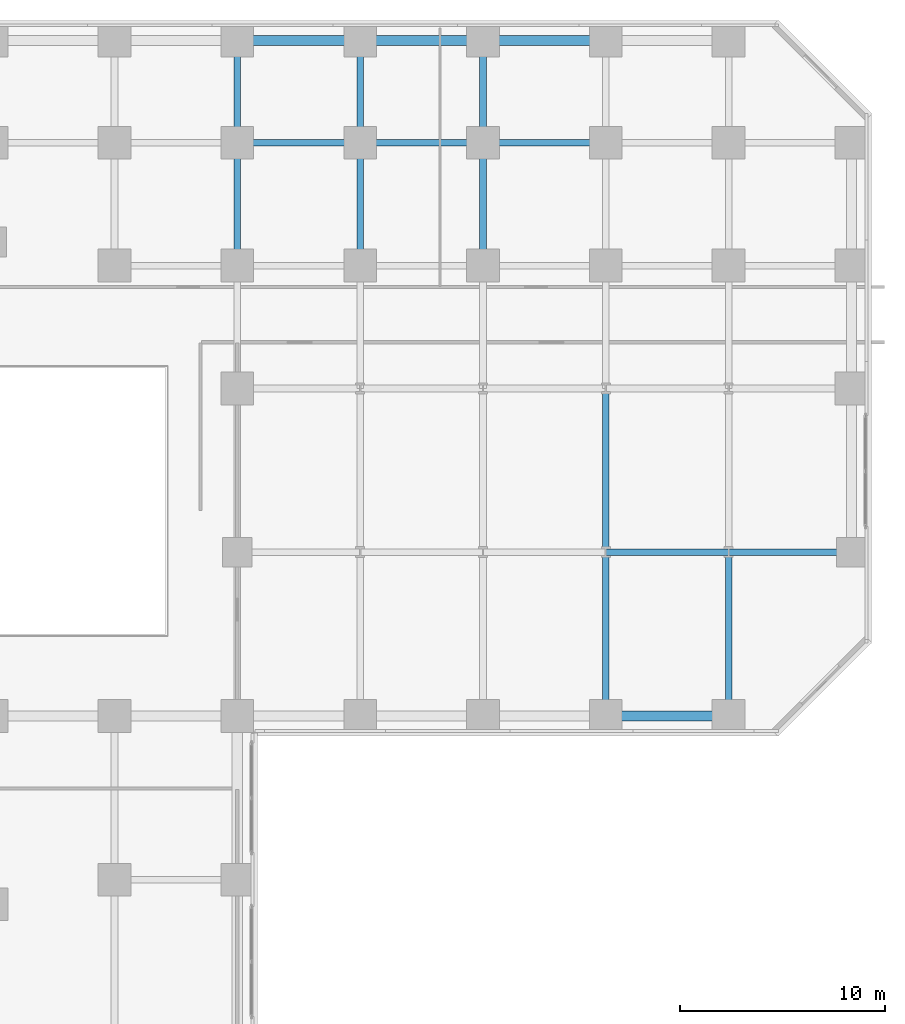
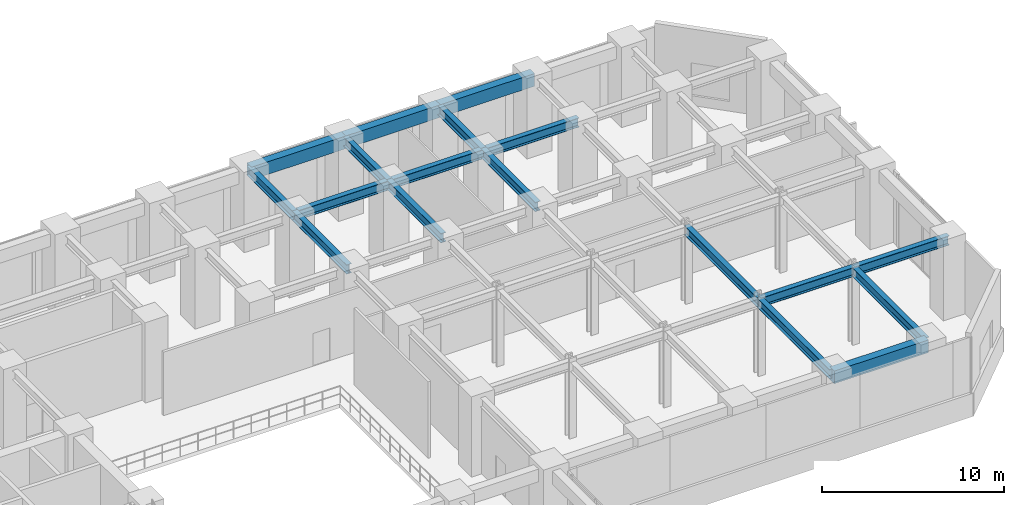
# One storey, part 21 of 33: 18 beams.
"""IFC4 building model written with IfcOpenShell, lengths in metres."""

from ifc_helpers import new_model, si_unit, direction, frame, origin, origin_2d, place, context, subcontext, project, spatial, rectangle, i_section, extrude, source, transform, mapped, material, material_profile, profile_set, type_object, element, save


model = new_model("IFC4")

# Units and contexts
model_context = context("Model", 3, precision=1e-05, world=origin(), true_north=direction((0.0, 1.0)))
body_context = subcontext(model_context, "Body", "Model", "MODEL_VIEW")
ifc_project = project(units=[si_unit("LENGTHUNIT", "METRE"), si_unit("AREAUNIT", "SQUARE_METRE"), si_unit("VOLUMEUNIT", "CUBIC_METRE"), si_unit("PLANEANGLEUNIT", "RADIAN"), si_unit("MASSUNIT", "GRAM", prefix="KILO")], contexts=[model_context])

# Site, building, storey
site_placement = place(None, origin())
site = spatial("IfcSite", under=ifc_project, at=site_placement, CompositionType="ELEMENT")
building_placement = place(site_placement, origin())
building = spatial("IfcBuilding", under=site, at=building_placement, Name="Torre Montelarca", CompositionType="ELEMENT")
storey_placement = place(building_placement, frame((0.0, 0.0, 12.0)))
storey = spatial("IfcBuildingStorey", under=building, at=storey_placement, Name="L03", CompositionType="ELEMENT", Elevation=12.0)

# Beams
ifc_material_1 = material(Name="Concrete C55/67", Category="concrete")
ifc_material_profile_1 = material_profile(ifc_material_1, rectangle(XDim=0.5, YDim=0.85009765625, at=origin_2d()), Name="RCB500X850", Category="concrete")
ifc_profile_set_1 = profile_set([ifc_material_profile_1], Name="Concrete C55/67")
beam_type_1 = type_object("IfcBeamType", Name="BM-SP-RC850-EXT", PredefinedType="SPANDREL", material=ifc_profile_set_1)
shared_shape_1 = source(origin(), body_context, "Body", "SweptSolid", [
    extrude(rectangle(XDim=0.5, YDim=0.85009765625, at=origin_2d()), origin(), (0.0, 0.0, 1.0), 6.0),
])
for number, where, z_axis, x_axis, name in (
    (1, (66.0, 24.0, 4.715087890625), (1.0, 0.0, 0.0), (0.0, 1.0, 0.0), "L03 Grid Girder X 66.0-72.0 at Y=24.0"),
    (2, (48.0, 57.0, 4.715087890625), (1.0, 0.0, 0.0), (0.0, 1.0, 0.0), "L03 Grid Girder X 48.0-54.0 at Y=57.0"),
    (3, (54.0, 57.0, 4.715087890625), (1.0, 0.0, 0.0), (0.0, 1.0, 0.0), "L03 Grid Girder X 54.0-60.0 at Y=57.0"),
    (4, (60.0, 57.0, 4.715087890625), (1.0, 0.0, 0.0), (0.0, 1.0, 0.0), "L03 Grid Girder X 60.0-66.0 at Y=57.0"),
):
    element("IfcBeam", number, at=place(storey_placement, frame(where, z_axis=z_axis, x_axis=x_axis)), inside=storey, type_object=beam_type_1, Name=name, PredefinedType="SPANDREL", context=body_context, shape_type="MappedRepresentation", body=[
        mapped(shared_shape_1, transform((0.0, 0.0, 0.0), scale=1.0)),
    ])
ifc_material_2 = material(Name="Steel ASTM A992 Grade 50", Category="steel")
ifc_material_profile_2 = material_profile(ifc_material_2, i_section(OverallWidth=0.326904296875, OverallDepth=0.6220703125, WebThickness=0.015380859375, FlangeThickness=0.0244140625, FilletRadius=0.014892578125, at=origin_2d()), Name="W610X195", Category="steel")
ifc_profile_set_2 = profile_set([ifc_material_profile_2], Name="Steel ASTM A992 Grade 50")
beam_type_2 = type_object("IfcBeamType", Name="BM-G-W610H", PredefinedType="BEAM", material=ifc_profile_set_2)
shared_shape_2 = source(origin(), body_context, "Body", "SweptSolid", [
    extrude(i_section(OverallWidth=0.326904296875, OverallDepth=0.6220703125, WebThickness=0.015380859375, FlangeThickness=0.0244140625, FilletRadius=0.014892578125, at=origin_2d()), origin(), (0.0, 0.0, 1.0), 6.0),
])
for number, where, z_axis, x_axis, name in (
    (5, (66.0, 32.0, 4.8291015625), (1.0, 0.0, 0.0), (0.0, 1.0, 0.0), "L03 Grid Girder X 66.0-72.0 at Y=32.0"),
    (6, (72.0, 32.0, 4.8291015625), (1.0, 0.0, 0.0), (0.0, 1.0, 0.0), "L03 Grid Girder X 72.0-78.0 at Y=32.0"),
    (7, (48.0, 52.0, 4.8291015625), (1.0, 0.0, 0.0), (0.0, 1.0, 0.0), "L03 Grid Girder X 48.0-54.0 at Y=52.0"),
    (8, (54.0, 52.0, 4.8291015625), (1.0, 0.0, 0.0), (0.0, 1.0, 0.0), "L03 Grid Girder X 54.0-60.0 at Y=52.0"),
    (9, (60.0, 52.0, 4.8291015625), (1.0, 0.0, 0.0), (0.0, 1.0, 0.0), "L03 Grid Girder X 60.0-66.0 at Y=52.0"),
    (10, (48.0, 46.0, 4.8291015625), (0.0, 1.0, 0.0), (-1.0, 0.0, 0.0), "L03 Grid Girder Y 46.0-52.0 at X=48.0"),
    (11, (54.0, 46.0, 4.8291015625), (0.0, 1.0, 0.0), (-1.0, 0.0, 0.0), "L03 Grid Girder Y 46.0-52.0 at X=54.0"),
    (12, (60.0, 46.0, 4.8291015625), (0.0, 1.0, 0.0), (-1.0, 0.0, 0.0), "L03 Grid Girder Y 46.0-52.0 at X=60.0"),
):
    element("IfcBeam", number, at=place(storey_placement, frame(where, z_axis=z_axis, x_axis=x_axis)), inside=storey, type_object=beam_type_2, Name=name, PredefinedType="BEAM", context=body_context, shape_type="MappedRepresentation", body=[
        mapped(shared_shape_2, transform((0.0, 0.0, 0.0), scale=1.0)),
    ])
shared_shape_3 = source(origin(), body_context, "Body", "SweptSolid", [
    extrude(i_section(OverallWidth=0.326904296875, OverallDepth=0.6220703125, WebThickness=0.015380859375, FlangeThickness=0.0244140625, FilletRadius=0.014892578125, at=origin_2d()), origin(), (0.0, 0.0, 1.0), 8.0),
])
for number, where, z_axis, x_axis, name in (
    (13, (66.0, 24.0, 4.8291015625), (0.0, 1.0, 0.0), (-1.0, 0.0, 0.0), "L03 Grid Girder Y 24.0-32.0 at X=66.0"),
    (14, (66.0, 32.0, 4.8291015625), (0.0, 1.0, 0.0), (-1.0, 0.0, 0.0), "L03 Grid Girder Y 32.0-40.0 at X=66.0"),
    (15, (72.0, 24.0, 4.8291015625), (0.0, 1.0, 0.0), (-1.0, 0.0, 0.0), "L03 Grid Girder Y 24.0-32.0 at X=72.0"),
):
    element("IfcBeam", number, at=place(storey_placement, frame(where, z_axis=z_axis, x_axis=x_axis)), inside=storey, type_object=beam_type_2, Name=name, PredefinedType="BEAM", context=body_context, shape_type="MappedRepresentation", body=[
        mapped(shared_shape_3, transform((0.0, 0.0, 0.0), scale=1.0)),
    ])
shared_shape_4 = source(origin(), body_context, "Body", "SweptSolid", [
    extrude(i_section(OverallWidth=0.326904296875, OverallDepth=0.6220703125, WebThickness=0.015380859375, FlangeThickness=0.0244140625, FilletRadius=0.014892578125, at=origin_2d()), origin(), (0.0, 0.0, 1.0), 5.0),
])
for number, where, z_axis, x_axis, name in (
    (16, (48.0, 52.0, 4.8291015625), (0.0, 1.0, 0.0), (-1.0, 0.0, 0.0), "L03 Grid Girder Y 52.0-57.0 at X=48.0"),
    (17, (54.0, 52.0, 4.8291015625), (0.0, 1.0, 0.0), (-1.0, 0.0, 0.0), "L03 Grid Girder Y 52.0-57.0 at X=54.0"),
    (18, (60.0, 52.0, 4.8291015625), (0.0, 1.0, 0.0), (-1.0, 0.0, 0.0), "L03 Grid Girder Y 52.0-57.0 at X=60.0"),
):
    element("IfcBeam", number, at=place(storey_placement, frame(where, z_axis=z_axis, x_axis=x_axis)), inside=storey, type_object=beam_type_2, Name=name, PredefinedType="BEAM", context=body_context, shape_type="MappedRepresentation", body=[
        mapped(shared_shape_4, transform((0.0, 0.0, 0.0), scale=1.0)),
    ])

save(model, "model.ifc")
